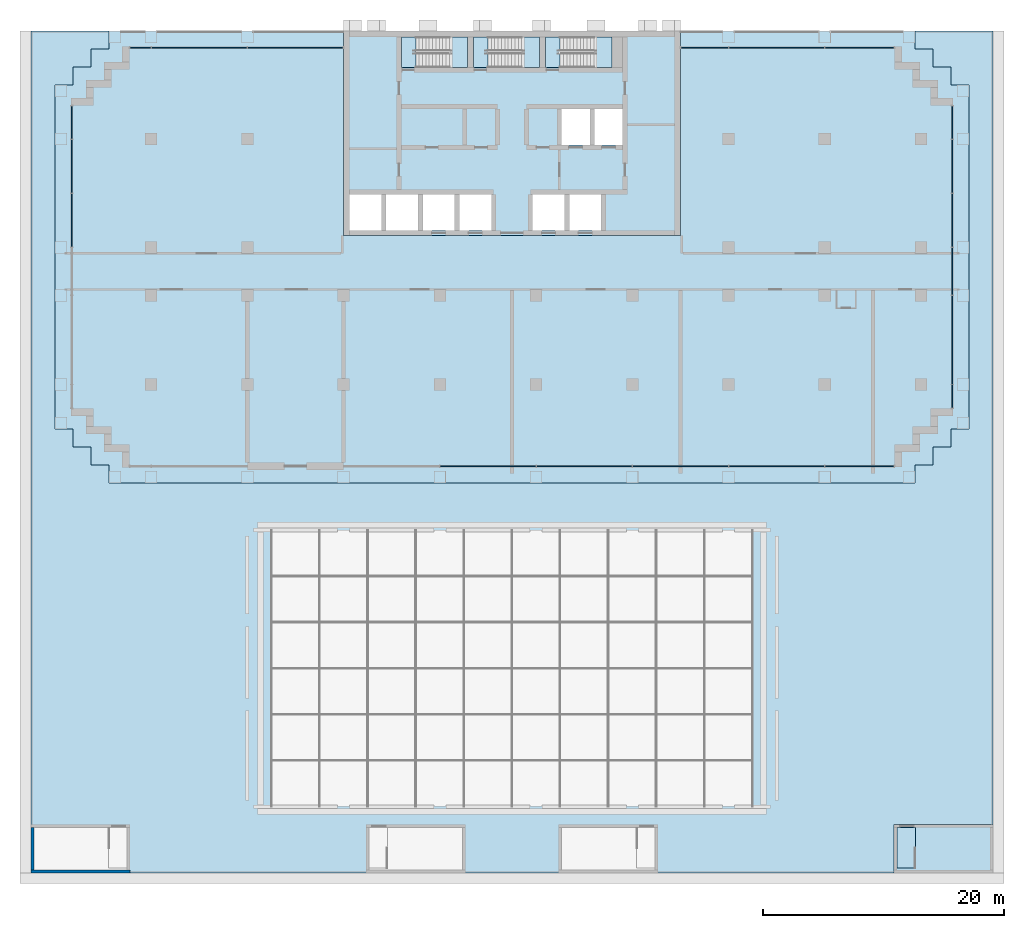
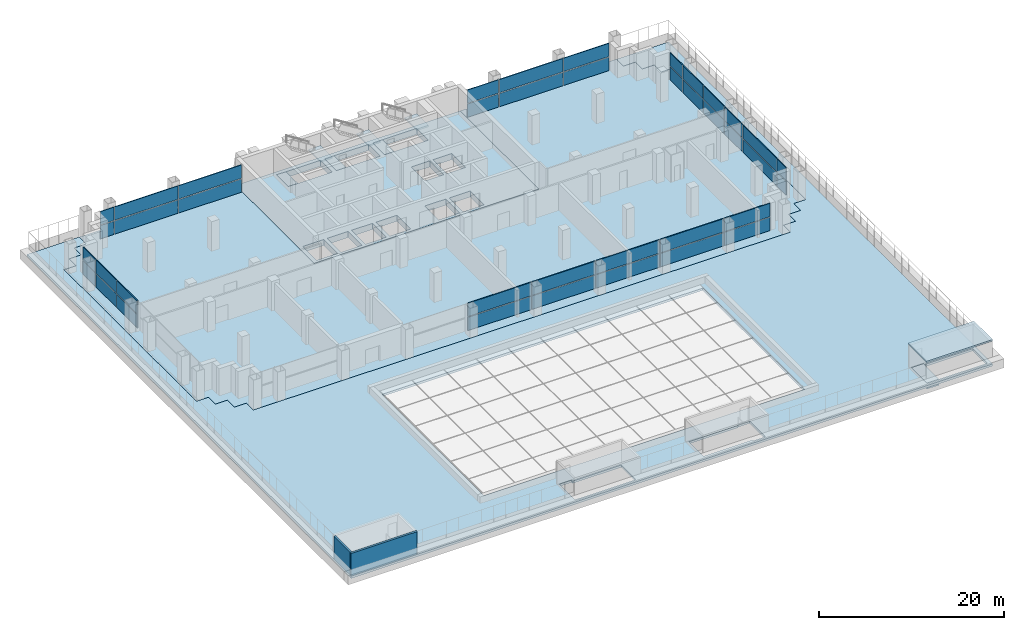
# One storey, part 9 of 16: 40 plates, 11 slabs, 2 walls, 8 elements without a shape of their own.
"""IFC4 building model written with IfcOpenShell, lengths in metres."""

from ifc_helpers import new_model, si_unit, direction, frame, frame_2d, origin, origin_2d, place, context, subcontext, project, spatial, polyline, rectangle, outline, extrude, material, layer, layer_set, type_object, element, aggregate, save


model = new_model("IFC4")

# Units and contexts
model_context = context("Model", 3, precision=1e-05, world=origin(), true_north=direction((0.0, 1.0)))
body_context = subcontext(model_context, "Body", "Model", "MODEL_VIEW")
ifc_project = project(units=[si_unit("LENGTHUNIT", "METRE"), si_unit("AREAUNIT", "SQUARE_METRE"), si_unit("VOLUMEUNIT", "CUBIC_METRE"), si_unit("PLANEANGLEUNIT", "RADIAN"), si_unit("MASSUNIT", "GRAM", prefix="KILO")], contexts=[model_context])

# Site, building, storey
site_placement = place(None, origin())
site = spatial("IfcSite", under=ifc_project, at=site_placement, CompositionType="ELEMENT")
building_placement = place(site_placement, origin())
building = spatial("IfcBuilding", under=site, at=building_placement, Name="Vidyagriha Tower", CompositionType="ELEMENT")
storey_placement = place(building_placement, frame((0.0, 0.0, 26.0)))
storey = spatial("IfcBuildingStorey", under=building, at=storey_placement, Name="L06", CompositionType="ELEMENT", Elevation=26.0)

# Slabs
ifc_material_1 = material(Name="Concrete C60/75", Category="concrete")
ifc_layer_1 = layer(ifc_material_1, 0.800048828125)
ifc_layer_set_1 = layer_set([ifc_layer_1], Name="Concrete C60/75")
slab_type_1 = type_object("IfcSlabType", Name="Core floor slab 800 mm", PredefinedType="FLOOR", material=ifc_layer_set_1)
slab_1_placement = place(storey_placement, frame((0.0, 0.0, -0.800048828125)))
element("IfcSlab", 1, at=slab_1_placement, inside=storey, type_object=slab_type_1, Name="L06 core floor 1", PredefinedType="FLOOR", context=body_context, shape_type="SweptSolid", body=[
    extrude(outline(polyline([(-14.0, 3.0), (-14.0, 20.0), (14.0, 20.0), (14.0, 3.0), (-14.0, 3.0)]), holes=[polyline([(9.199951171875, 13.5), (6.86669921875, 13.5), (6.86669921875, 10.5), (9.199951171875, 10.5), (9.199951171875, 13.5)]), polyline([(4.0, 19.5), (2.800048828125, 19.5), (2.800048828125, 16.949951171875), (4.0, 16.949951171875), (8.300048828125, 16.949951171875), (8.300048828125, 19.5), (4.0, 19.5)]), polyline([(7.4111328125, 6.39990234375), (4.7666015625, 6.39990234375), (4.7666015625, 3.39990234375), (7.4111328125, 3.39990234375), (7.4111328125, 6.39990234375)]), polyline([(6.466796875, 13.5), (4.13330078125, 13.5), (4.13330078125, 10.5), (6.466796875, 10.5), (6.466796875, 13.5)]), polyline([(1.72216796875, 6.39990234375), (1.72216796875, 3.39990234375), (4.36669921875, 3.39990234375), (4.36669921875, 6.39990234375), (1.72216796875, 6.39990234375)]), polyline([(-2.0, 16.949951171875), (2.300048828125, 16.949951171875), (2.300048828125, 19.5), (-2.0, 19.5), (-3.199951171875, 19.5), (-3.199951171875, 16.949951171875), (-2.0, 16.949951171875)]), polyline([(-1.72216796875, 6.39990234375), (-4.36669921875, 6.39990234375), (-4.36669921875, 3.39990234375), (-1.72216796875, 3.39990234375), (-1.72216796875, 6.39990234375)]), polyline([(-8.0, 19.5), (-9.199951171875, 19.5), (-9.199951171875, 16.949951171875), (-8.0, 16.949951171875), (-3.699951171875, 16.949951171875), (-3.699951171875, 19.5), (-8.0, 19.5)]), polyline([(-4.7666015625, 6.39990234375), (-7.4111328125, 6.39990234375), (-7.4111328125, 3.39990234375), (-4.7666015625, 3.39990234375), (-4.7666015625, 6.39990234375)]), polyline([(-7.81103515625, 6.39990234375), (-10.45556640625, 6.39990234375), (-10.45556640625, 3.39990234375), (-7.81103515625, 3.39990234375), (-7.81103515625, 6.39990234375)]), polyline([(-13.5, 6.39990234375), (-13.5, 3.39990234375), (-10.855712890625, 3.39990234375), (-10.855712890625, 6.39990234375), (-13.5, 6.39990234375)])]), origin(), (0.0, 0.0, 1.0), 0.800048828125),
])
ifc_material_2 = material(Name="Concrete C40/50", Category="concrete")
ifc_layer_2 = layer(ifc_material_2, 0.800048828125)
ifc_layer_set_2 = layer_set([ifc_layer_2], Name="Concrete C40/50")
slab_type_2 = type_object("IfcSlabType", Name="Exit stair floor landing 800 mm", PredefinedType="LANDING", material=ifc_layer_set_2)
slab_2_placement = place(storey_placement, frame((0.0, 0.0, -0.800048828125)))
element("IfcSlab", 2, at=slab_2_placement, inside=storey, type_object=slab_type_2, Name="ST1 floor landing L06", PredefinedType="LANDING", context=body_context, shape_type="SweptSolid", body=[
    extrude(outline(polyline([(-9.199951171875, 16.949951171875), (-8.0, 16.949951171875), (-8.0, 19.5), (-9.199951171875, 19.5), (-9.199951171875, 16.949951171875)])), origin(), (0.0, 0.0, 1.0), 0.800048828125),
])
slab_3_placement = place(storey_placement, frame((0.0, 0.0, -0.800048828125)))
element("IfcSlab", 3, at=slab_3_placement, inside=storey, type_object=slab_type_2, Name="ST2 floor landing L06", PredefinedType="LANDING", context=body_context, shape_type="SweptSolid", body=[
    extrude(outline(polyline([(-3.199951171875, 16.949951171875), (-2.0, 16.949951171875), (-2.0, 19.5), (-3.199951171875, 19.5), (-3.199951171875, 16.949951171875)])), origin(), (0.0, 0.0, 1.0), 0.800048828125),
])
slab_4_placement = place(storey_placement, frame((0.0, 0.0, -0.800048828125)))
element("IfcSlab", 4, at=slab_4_placement, inside=storey, type_object=slab_type_2, Name="ST3 floor landing L06", PredefinedType="LANDING", context=body_context, shape_type="SweptSolid", body=[
    extrude(outline(polyline([(2.800048828125, 16.949951171875), (4.0, 16.949951171875), (4.0, 19.5), (2.800048828125, 19.5), (2.800048828125, 16.949951171875)])), origin(), (0.0, 0.0, 1.0), 0.800048828125),
])

# Stair, slab
ifc_material_3 = material(Name="Concrete C40/50", Category="concrete")
stair_type = type_object("IfcStairType", Name="Exit stair, half-turn, precast flights", PredefinedType="HALF_TURN_STAIR", material=ifc_material_3)
stair_1_placement = place(storey_placement, origin())
stair_1 = element("IfcStair", 5, at=stair_1_placement, inside=storey, type_object=stair_type, Name="L06 Exit Stair ST1", PredefinedType="HALF_TURN_STAIR")
ifc_material_4 = material(Name="Concrete C40/50", Category="concrete")
ifc_layer_3 = layer(ifc_material_4, 0.199951171875)
ifc_layer_set_3 = layer_set([ifc_layer_3], Name="Concrete C40/50")
slab_type_3 = type_object("IfcSlabType", Name="Exit stair landing 200 mm", PredefinedType="LANDING", material=ifc_layer_set_3)
slab_5_placement = place(storey_placement, frame((0.0, 0.0, 1.75)))
slab_5 = element("IfcSlab", 6, at=slab_5_placement, type_object=slab_type_3, Name="ST1 landing 1", PredefinedType="LANDING", context=body_context, shape_type="SweptSolid", body=[
    extrude(outline(polyline([(-5.199951171875, 16.949951171875), (-3.699951171875, 16.949951171875), (-3.699951171875, 19.5), (-5.199951171875, 19.5), (-5.199951171875, 16.949951171875)])), origin(), (0.0, 0.0, 1.0), 0.199951171875),
])
aggregate(stair_1, [slab_5])

stair_2_placement = place(storey_placement, origin())
stair_2 = element("IfcStair", 7, at=stair_2_placement, inside=storey, type_object=stair_type, Name="L06 Exit Stair ST2", PredefinedType="HALF_TURN_STAIR")
slab_6_placement = place(storey_placement, frame((0.0, 0.0, 1.75)))
slab_6 = element("IfcSlab", 8, at=slab_6_placement, type_object=slab_type_3, Name="ST2 landing 1", PredefinedType="LANDING", context=body_context, shape_type="SweptSolid", body=[
    extrude(outline(polyline([(0.800048828125, 16.949951171875), (2.300048828125, 16.949951171875), (2.300048828125, 19.5), (0.800048828125, 19.5), (0.800048828125, 16.949951171875)])), origin(), (0.0, 0.0, 1.0), 0.199951171875),
])
aggregate(stair_2, [slab_6])

stair_3_placement = place(storey_placement, origin())
stair_3 = element("IfcStair", 9, at=stair_3_placement, inside=storey, type_object=stair_type, Name="L06 Exit Stair ST3", PredefinedType="HALF_TURN_STAIR")
slab_7_placement = place(storey_placement, frame((0.0, 0.0, 1.75)))
slab_7 = element("IfcSlab", 10, at=slab_7_placement, type_object=slab_type_3, Name="ST3 landing 1", PredefinedType="LANDING", context=body_context, shape_type="SweptSolid", body=[
    extrude(outline(polyline([(6.800048828125, 16.949951171875), (8.300048828125, 16.949951171875), (8.300048828125, 19.5), (6.800048828125, 19.5), (6.800048828125, 16.949951171875)])), origin(), (0.0, 0.0, 1.0), 0.199951171875),
])
aggregate(stair_3, [slab_7])

# Curtain wall, plates
ifc_material_5 = material(Name="Aluminium and glass curtain wall", Category="aluminium")
curtain_wall_type = type_object("IfcCurtainWallType", Name="Plant louvre wall", PredefinedType="USERDEFINED", material=ifc_material_5)
curtain_wall_1_placement = place(storey_placement, origin())
curtain_wall_1 = element("IfcCurtainWall", 11, at=curtain_wall_1_placement, inside=storey, type_object=curtain_wall_type, Name="CW7 plant louvre wall", ObjectType="STICK GLAZING", PredefinedType="USERDEFINED")
ifc_material_6 = material(Name="Perforated fired clay brick jaali screen", Category="masonry")
ifc_layer_4 = layer(ifc_material_6, 0.10009765625)
ifc_layer_set_4 = layer_set([ifc_layer_4], Name="Perforated fired clay brick jaali screen")
plate_type = type_object("IfcPlateType", Name="Perforated brick jaali screen panel", PredefinedType="CURTAIN_PANEL", material=ifc_layer_set_4)
plate_1_placement = place(storey_placement, frame((28.8798828125, 18.60009765625, 0.0), z_axis=(0.0, 0.0, 1.0), x_axis=(-1.0, 0.0, 0.0)))
plate_1 = element("IfcPlate", 12, at=plate_1_placement, type_object=plate_type, Name="CW7 panel 1.1", PredefinedType="CURTAIN_PANEL", context=body_context, shape_type="SweptSolid", body=[
    extrude(rectangle(XDim=5.679931640625, YDim=0.10009765625, at=origin_2d()), origin(), (0.0, 0.0, 1.0), 1.75),
])
plate_2_placement = place(storey_placement, frame((28.8798828125, 18.60009765625, 1.85009765625), z_axis=(0.0, 0.0, 1.0), x_axis=(-1.0, 0.0, 0.0)))
plate_2 = element("IfcPlate", 13, at=plate_2_placement, type_object=plate_type, Name="CW7 panel 1.2", PredefinedType="CURTAIN_PANEL", context=body_context, shape_type="SweptSolid", body=[
    extrude(rectangle(XDim=5.679931640625, YDim=0.10009765625, at=origin_2d()), origin(), (0.0, 0.0, 1.0), 1.75),
])
plate_3_placement = place(storey_placement, frame((22.0, 18.60009765625, 0.0), z_axis=(0.0, 0.0, 1.0), x_axis=(-1.0, 0.0, 0.0)))
plate_3 = element("IfcPlate", 14, at=plate_3_placement, type_object=plate_type, Name="CW7 panel 2.1", PredefinedType="CURTAIN_PANEL", context=body_context, shape_type="SweptSolid", body=[
    extrude(rectangle(XDim=7.919921875, YDim=0.10009765625, at=origin_2d()), origin(), (0.0, 0.0, 1.0), 1.75),
])
plate_4_placement = place(storey_placement, frame((22.0, 18.60009765625, 1.85009765625), z_axis=(0.0, 0.0, 1.0), x_axis=(-1.0, 0.0, 0.0)))
plate_4 = element("IfcPlate", 15, at=plate_4_placement, type_object=plate_type, Name="CW7 panel 2.2", PredefinedType="CURTAIN_PANEL", context=body_context, shape_type="SweptSolid", body=[
    extrude(rectangle(XDim=7.919921875, YDim=0.10009765625, at=origin_2d()), origin(), (0.0, 0.0, 1.0), 1.75),
])
plate_5_placement = place(storey_placement, frame((16.02001953125, 18.60009765625, 0.0), z_axis=(0.0, 0.0, 1.0), x_axis=(-1.0, 0.0, 0.0)))
plate_5 = element("IfcPlate", 16, at=plate_5_placement, type_object=plate_type, Name="CW7 panel 3.1", PredefinedType="CURTAIN_PANEL", context=body_context, shape_type="SweptSolid", body=[
    extrude(rectangle(XDim=3.8798828125, YDim=0.10009765625, at=origin_2d()), origin(), (0.0, 0.0, 1.0), 1.75),
])
plate_6_placement = place(storey_placement, frame((16.02001953125, 18.60009765625, 1.85009765625), z_axis=(0.0, 0.0, 1.0), x_axis=(-1.0, 0.0, 0.0)))
plate_6 = element("IfcPlate", 17, at=plate_6_placement, type_object=plate_type, Name="CW7 panel 3.2", PredefinedType="CURTAIN_PANEL", context=body_context, shape_type="SweptSolid", body=[
    extrude(rectangle(XDim=3.8798828125, YDim=0.10009765625, at=origin_2d()), origin(), (0.0, 0.0, 1.0), 1.75),
])
aggregate(curtain_wall_1, [plate_1, plate_2, plate_3, plate_4, plate_5, plate_6])

curtain_wall_2_placement = place(storey_placement, origin())
curtain_wall_2 = element("IfcCurtainWall", 18, at=curtain_wall_2_placement, inside=storey, type_object=curtain_wall_type, Name="CW7 plant louvre wall", ObjectType="STICK GLAZING", PredefinedType="USERDEFINED")
plate_7_placement = place(storey_placement, frame((-18.02001953125, 18.60009765625, 0.0), z_axis=(0.0, 0.0, 1.0), x_axis=(-1.0, 0.0, 0.0)))
plate_7 = element("IfcPlate", 19, at=plate_7_placement, type_object=plate_type, Name="CW7 panel 1.1", PredefinedType="CURTAIN_PANEL", context=body_context, shape_type="SweptSolid", body=[
    extrude(rectangle(XDim=7.8798828125, YDim=0.10009765625, at=origin_2d()), origin(), (0.0, 0.0, 1.0), 1.75),
])
plate_8_placement = place(storey_placement, frame((-18.02001953125, 18.60009765625, 1.85009765625), z_axis=(0.0, 0.0, 1.0), x_axis=(-1.0, 0.0, 0.0)))
plate_8 = element("IfcPlate", 20, at=plate_8_placement, type_object=plate_type, Name="CW7 panel 1.2", PredefinedType="CURTAIN_PANEL", context=body_context, shape_type="SweptSolid", body=[
    extrude(rectangle(XDim=7.8798828125, YDim=0.10009765625, at=origin_2d()), origin(), (0.0, 0.0, 1.0), 1.75),
])
plate_9_placement = place(storey_placement, frame((-26.0, 18.60009765625, 0.0), z_axis=(0.0, 0.0, 1.0), x_axis=(-1.0, 0.0, 0.0)))
plate_9 = element("IfcPlate", 21, at=plate_9_placement, type_object=plate_type, Name="CW7 panel 2.1", PredefinedType="CURTAIN_PANEL", context=body_context, shape_type="SweptSolid", body=[
    extrude(rectangle(XDim=7.919921875, YDim=0.10009765625, at=origin_2d()), origin(), (0.0, 0.0, 1.0), 1.75),
])
plate_10_placement = place(storey_placement, frame((-26.0, 18.60009765625, 1.85009765625), z_axis=(0.0, 0.0, 1.0), x_axis=(-1.0, 0.0, 0.0)))
plate_10 = element("IfcPlate", 22, at=plate_10_placement, type_object=plate_type, Name="CW7 panel 2.2", PredefinedType="CURTAIN_PANEL", context=body_context, shape_type="SweptSolid", body=[
    extrude(rectangle(XDim=7.919921875, YDim=0.10009765625, at=origin_2d()), origin(), (0.0, 0.0, 1.0), 1.75),
])
plate_11_placement = place(storey_placement, frame((-30.8798828125, 18.60009765625, 0.0), z_axis=(0.0, 0.0, 1.0), x_axis=(-1.0, 0.0, 0.0)))
plate_11 = element("IfcPlate", 23, at=plate_11_placement, type_object=plate_type, Name="CW7 panel 3.1", PredefinedType="CURTAIN_PANEL", context=body_context, shape_type="SweptSolid", body=[
    extrude(rectangle(XDim=1.679931640625, YDim=0.10009765625, at=origin_2d()), origin(), (0.0, 0.0, 1.0), 1.75),
])
plate_12_placement = place(storey_placement, frame((-30.8798828125, 18.60009765625, 1.85009765625), z_axis=(0.0, 0.0, 1.0), x_axis=(-1.0, 0.0, 0.0)))
plate_12 = element("IfcPlate", 24, at=plate_12_placement, type_object=plate_type, Name="CW7 panel 3.2", PredefinedType="CURTAIN_PANEL", context=body_context, shape_type="SweptSolid", body=[
    extrude(rectangle(XDim=1.679931640625, YDim=0.10009765625, at=origin_2d()), origin(), (0.0, 0.0, 1.0), 1.75),
])
aggregate(curtain_wall_2, [plate_7, plate_8, plate_9, plate_10, plate_11, plate_12])

curtain_wall_3_placement = place(storey_placement, origin())
curtain_wall_3 = element("IfcCurtainWall", 25, at=curtain_wall_3_placement, inside=storey, type_object=curtain_wall_type, Name="CW7 plant louvre wall", ObjectType="STICK GLAZING", PredefinedType="USERDEFINED")
plate_13_placement = place(storey_placement, frame((-36.60009765625, 12.3798828125, 0.0), z_axis=(0.0, 0.0, 1.0), x_axis=(0.0, -1.0, 0.0)))
plate_13 = element("IfcPlate", 26, at=plate_13_placement, type_object=plate_type, Name="CW7 panel 1.1", PredefinedType="CURTAIN_PANEL", context=body_context, shape_type="SweptSolid", body=[
    extrude(rectangle(XDim=2.679931640625, YDim=0.10009765625, at=origin_2d()), origin(), (0.0, 0.0, 1.0), 1.75),
])
plate_14_placement = place(storey_placement, frame((-36.60009765625, 12.3798828125, 1.85009765625), z_axis=(0.0, 0.0, 1.0), x_axis=(0.0, -1.0, 0.0)))
plate_14 = element("IfcPlate", 27, at=plate_14_placement, type_object=plate_type, Name="CW7 panel 1.2", PredefinedType="CURTAIN_PANEL", context=body_context, shape_type="SweptSolid", body=[
    extrude(rectangle(XDim=2.679931640625, YDim=0.10009765625, at=origin_2d()), origin(), (0.0, 0.0, 1.0), 1.75),
])
plate_15_placement = place(storey_placement, frame((-36.60009765625, 8.75, 0.0), z_axis=(0.0, 0.0, 1.0), x_axis=(0.0, -1.0, 0.0)))
plate_15 = element("IfcPlate", 28, at=plate_15_placement, type_object=plate_type, Name="CW7 panel 2.1", PredefinedType="CURTAIN_PANEL", context=body_context, shape_type="SweptSolid", body=[
    extrude(rectangle(XDim=4.419921875, YDim=0.10009765625, at=origin_2d()), origin(), (0.0, 0.0, 1.0), 1.75),
])
plate_16_placement = place(storey_placement, frame((-36.60009765625, 8.75, 1.85009765625), z_axis=(0.0, 0.0, 1.0), x_axis=(0.0, -1.0, 0.0)))
plate_16 = element("IfcPlate", 29, at=plate_16_placement, type_object=plate_type, Name="CW7 panel 2.2", PredefinedType="CURTAIN_PANEL", context=body_context, shape_type="SweptSolid", body=[
    extrude(rectangle(XDim=4.419921875, YDim=0.10009765625, at=origin_2d()), origin(), (0.0, 0.0, 1.0), 1.75),
])
plate_17_placement = place(storey_placement, frame((-36.60009765625, 4.25, 0.0), z_axis=(0.0, 0.0, 1.0), x_axis=(0.0, -1.0, 0.0)))
plate_17 = element("IfcPlate", 30, at=plate_17_placement, type_object=plate_type, Name="CW7 panel 3.1", PredefinedType="CURTAIN_PANEL", context=body_context, shape_type="SweptSolid", body=[
    extrude(rectangle(XDim=4.419921875, YDim=0.10009765625, at=origin_2d()), origin(), (0.0, 0.0, 1.0), 1.75),
])
plate_18_placement = place(storey_placement, frame((-36.60009765625, 4.25, 1.85009765625), z_axis=(0.0, 0.0, 1.0), x_axis=(0.0, -1.0, 0.0)))
plate_18 = element("IfcPlate", 31, at=plate_18_placement, type_object=plate_type, Name="CW7 panel 3.2", PredefinedType="CURTAIN_PANEL", context=body_context, shape_type="SweptSolid", body=[
    extrude(rectangle(XDim=4.419921875, YDim=0.10009765625, at=origin_2d()), origin(), (0.0, 0.0, 1.0), 1.75),
])
aggregate(curtain_wall_3, [plate_13, plate_14, plate_15, plate_16, plate_17, plate_18])

curtain_wall_4_placement = place(storey_placement, origin())
curtain_wall_4 = element("IfcCurtainWall", 32, at=curtain_wall_4_placement, inside=storey, type_object=curtain_wall_type, Name="CW7 plant louvre wall", ObjectType="STICK GLAZING", PredefinedType="USERDEFINED")
plate_19_placement = place(storey_placement, frame((-2.0, -16.199951171875, 0.0)))
plate_19 = element("IfcPlate", 33, at=plate_19_placement, type_object=plate_type, Name="CW7 panel 2.1", PredefinedType="CURTAIN_PANEL", context=body_context, shape_type="SweptSolid", body=[
    extrude(rectangle(XDim=7.919921875, YDim=0.10009765625, at=origin_2d()), origin(), (0.0, 0.0, 1.0), 1.75),
])
plate_20_placement = place(storey_placement, frame((-2.0, -16.199951171875, 1.85009765625)))
plate_20 = element("IfcPlate", 34, at=plate_20_placement, type_object=plate_type, Name="CW7 panel 2.2", PredefinedType="CURTAIN_PANEL", context=body_context, shape_type="SweptSolid", body=[
    extrude(rectangle(XDim=7.919921875, YDim=0.10009765625, at=origin_2d()), origin(), (0.0, 0.0, 1.0), 1.75),
])
plate_21_placement = place(storey_placement, frame((6.0, -16.199951171875, 0.0)))
plate_21 = element("IfcPlate", 35, at=plate_21_placement, type_object=plate_type, Name="CW7 panel 3.1", PredefinedType="CURTAIN_PANEL", context=body_context, shape_type="SweptSolid", body=[
    extrude(rectangle(XDim=7.919921875, YDim=0.10009765625, at=origin_2d()), origin(), (0.0, 0.0, 1.0), 1.75),
])
plate_22_placement = place(storey_placement, frame((6.0, -16.199951171875, 1.85009765625)))
plate_22 = element("IfcPlate", 36, at=plate_22_placement, type_object=plate_type, Name="CW7 panel 3.2", PredefinedType="CURTAIN_PANEL", context=body_context, shape_type="SweptSolid", body=[
    extrude(rectangle(XDim=7.919921875, YDim=0.10009765625, at=origin_2d()), origin(), (0.0, 0.0, 1.0), 1.75),
])
plate_23_placement = place(storey_placement, frame((14.0, -16.199951171875, 0.0)))
plate_23 = element("IfcPlate", 37, at=plate_23_placement, type_object=plate_type, Name="CW7 panel 4.1", PredefinedType="CURTAIN_PANEL", context=body_context, shape_type="SweptSolid", body=[
    extrude(rectangle(XDim=7.919921875, YDim=0.10009765625, at=origin_2d()), origin(), (0.0, 0.0, 1.0), 1.75),
])
plate_24_placement = place(storey_placement, frame((14.0, -16.199951171875, 1.85009765625)))
plate_24 = element("IfcPlate", 38, at=plate_24_placement, type_object=plate_type, Name="CW7 panel 4.2", PredefinedType="CURTAIN_PANEL", context=body_context, shape_type="SweptSolid", body=[
    extrude(rectangle(XDim=7.919921875, YDim=0.10009765625, at=origin_2d()), origin(), (0.0, 0.0, 1.0), 1.75),
])
plate_25_placement = place(storey_placement, frame((22.0, -16.199951171875, 0.0)))
plate_25 = element("IfcPlate", 39, at=plate_25_placement, type_object=plate_type, Name="CW7 panel 5.1", PredefinedType="CURTAIN_PANEL", context=body_context, shape_type="SweptSolid", body=[
    extrude(rectangle(XDim=7.919921875, YDim=0.10009765625, at=origin_2d()), origin(), (0.0, 0.0, 1.0), 1.75),
])
plate_26_placement = place(storey_placement, frame((22.0, -16.199951171875, 1.85009765625)))
plate_26 = element("IfcPlate", 40, at=plate_26_placement, type_object=plate_type, Name="CW7 panel 5.2", PredefinedType="CURTAIN_PANEL", context=body_context, shape_type="SweptSolid", body=[
    extrude(rectangle(XDim=7.919921875, YDim=0.10009765625, at=origin_2d()), origin(), (0.0, 0.0, 1.0), 1.75),
])
plate_27_placement = place(storey_placement, frame((28.8798828125, -16.199951171875, 0.0)))
plate_27 = element("IfcPlate", 41, at=plate_27_placement, type_object=plate_type, Name="CW7 panel 6.1", PredefinedType="CURTAIN_PANEL", context=body_context, shape_type="SweptSolid", body=[
    extrude(rectangle(XDim=5.679931640625, YDim=0.10009765625, at=origin_2d()), origin(), (0.0, 0.0, 1.0), 1.75),
])
plate_28_placement = place(storey_placement, frame((28.8798828125, -16.199951171875, 1.85009765625)))
plate_28 = element("IfcPlate", 42, at=plate_28_placement, type_object=plate_type, Name="CW7 panel 6.2", PredefinedType="CURTAIN_PANEL", context=body_context, shape_type="SweptSolid", body=[
    extrude(rectangle(XDim=5.679931640625, YDim=0.10009765625, at=origin_2d()), origin(), (0.0, 0.0, 1.0), 1.75),
])
aggregate(curtain_wall_4, [plate_19, plate_20, plate_21, plate_22, plate_23, plate_24, plate_25, plate_26, plate_27, plate_28])

curtain_wall_5_placement = place(storey_placement, origin())
curtain_wall_5 = element("IfcCurtainWall", 43, at=curtain_wall_5_placement, inside=storey, type_object=curtain_wall_type, Name="CW7 plant louvre wall", ObjectType="STICK GLAZING", PredefinedType="USERDEFINED")
plate_29_placement = place(storey_placement, frame((36.60009765625, -10.3798828125, 0.0), z_axis=(0.0, 0.0, 1.0), x_axis=(0.0, 1.0, 0.0)))
plate_29 = element("IfcPlate", 44, at=plate_29_placement, type_object=plate_type, Name="CW7 panel 1.1", PredefinedType="CURTAIN_PANEL", context=body_context, shape_type="SweptSolid", body=[
    extrude(rectangle(XDim=1.8798828125, YDim=0.10009765625, at=origin_2d()), origin(), (0.0, 0.0, 1.0), 1.75),
])
plate_30_placement = place(storey_placement, frame((36.60009765625, -10.3798828125, 1.85009765625), z_axis=(0.0, 0.0, 1.0), x_axis=(0.0, 1.0, 0.0)))
plate_30 = element("IfcPlate", 45, at=plate_30_placement, type_object=plate_type, Name="CW7 panel 1.2", PredefinedType="CURTAIN_PANEL", context=body_context, shape_type="SweptSolid", body=[
    extrude(rectangle(XDim=1.8798828125, YDim=0.10009765625, at=origin_2d()), origin(), (0.0, 0.0, 1.0), 1.75),
])
plate_31_placement = place(storey_placement, frame((36.60009765625, -5.699951171875, 0.0), z_axis=(0.0, 0.0, 1.0), x_axis=(0.0, 1.0, 0.0)))
plate_31 = element("IfcPlate", 46, at=plate_31_placement, type_object=plate_type, Name="CW7 panel 2.1", PredefinedType="CURTAIN_PANEL", context=body_context, shape_type="SweptSolid", body=[
    extrude(rectangle(XDim=7.320068359375, YDim=0.10009765625, at=origin_2d()), origin(), (0.0, 0.0, 1.0), 1.75),
])
plate_32_placement = place(storey_placement, frame((36.60009765625, -5.699951171875, 1.85009765625), z_axis=(0.0, 0.0, 1.0), x_axis=(0.0, 1.0, 0.0)))
plate_32 = element("IfcPlate", 47, at=plate_32_placement, type_object=plate_type, Name="CW7 panel 2.2", PredefinedType="CURTAIN_PANEL", context=body_context, shape_type="SweptSolid", body=[
    extrude(rectangle(XDim=7.320068359375, YDim=0.10009765625, at=origin_2d()), origin(), (0.0, 0.0, 1.0), 1.75),
])
plate_33_placement = place(storey_placement, frame((36.60009765625, 0.0, 0.0), z_axis=(0.0, 0.0, 1.0), x_axis=(0.0, 1.0, 0.0)))
plate_33 = element("IfcPlate", 48, at=plate_33_placement, type_object=plate_type, Name="CW7 panel 3.1", PredefinedType="CURTAIN_PANEL", context=body_context, shape_type="SweptSolid", body=[
    extrude(rectangle(XDim=3.919921875, YDim=0.10009765625, at=origin_2d()), origin(), (0.0, 0.0, 1.0), 1.75),
])
plate_34_placement = place(storey_placement, frame((36.60009765625, 0.0, 1.85009765625), z_axis=(0.0, 0.0, 1.0), x_axis=(0.0, 1.0, 0.0)))
plate_34 = element("IfcPlate", 49, at=plate_34_placement, type_object=plate_type, Name="CW7 panel 3.2", PredefinedType="CURTAIN_PANEL", context=body_context, shape_type="SweptSolid", body=[
    extrude(rectangle(XDim=3.919921875, YDim=0.10009765625, at=origin_2d()), origin(), (0.0, 0.0, 1.0), 1.75),
])
plate_35_placement = place(storey_placement, frame((36.60009765625, 4.25, 0.0), z_axis=(0.0, 0.0, 1.0), x_axis=(0.0, 1.0, 0.0)))
plate_35 = element("IfcPlate", 50, at=plate_35_placement, type_object=plate_type, Name="CW7 panel 4.1", PredefinedType="CURTAIN_PANEL", context=body_context, shape_type="SweptSolid", body=[
    extrude(rectangle(XDim=4.419921875, YDim=0.10009765625, at=origin_2d()), origin(), (0.0, 0.0, 1.0), 1.75),
])
plate_36_placement = place(storey_placement, frame((36.60009765625, 4.25, 1.85009765625), z_axis=(0.0, 0.0, 1.0), x_axis=(0.0, 1.0, 0.0)))
plate_36 = element("IfcPlate", 51, at=plate_36_placement, type_object=plate_type, Name="CW7 panel 4.2", PredefinedType="CURTAIN_PANEL", context=body_context, shape_type="SweptSolid", body=[
    extrude(rectangle(XDim=4.419921875, YDim=0.10009765625, at=origin_2d()), origin(), (0.0, 0.0, 1.0), 1.75),
])
plate_37_placement = place(storey_placement, frame((36.60009765625, 8.75, 0.0), z_axis=(0.0, 0.0, 1.0), x_axis=(0.0, 1.0, 0.0)))
plate_37 = element("IfcPlate", 52, at=plate_37_placement, type_object=plate_type, Name="CW7 panel 5.1", PredefinedType="CURTAIN_PANEL", context=body_context, shape_type="SweptSolid", body=[
    extrude(rectangle(XDim=4.419921875, YDim=0.10009765625, at=origin_2d()), origin(), (0.0, 0.0, 1.0), 1.75),
])
plate_38_placement = place(storey_placement, frame((36.60009765625, 8.75, 1.85009765625), z_axis=(0.0, 0.0, 1.0), x_axis=(0.0, 1.0, 0.0)))
plate_38 = element("IfcPlate", 53, at=plate_38_placement, type_object=plate_type, Name="CW7 panel 5.2", PredefinedType="CURTAIN_PANEL", context=body_context, shape_type="SweptSolid", body=[
    extrude(rectangle(XDim=4.419921875, YDim=0.10009765625, at=origin_2d()), origin(), (0.0, 0.0, 1.0), 1.75),
])
plate_39_placement = place(storey_placement, frame((36.60009765625, 12.3798828125, 0.0), z_axis=(0.0, 0.0, 1.0), x_axis=(0.0, 1.0, 0.0)))
plate_39 = element("IfcPlate", 54, at=plate_39_placement, type_object=plate_type, Name="CW7 panel 6.1", PredefinedType="CURTAIN_PANEL", context=body_context, shape_type="SweptSolid", body=[
    extrude(rectangle(XDim=2.679931640625, YDim=0.10009765625, at=origin_2d()), origin(), (0.0, 0.0, 1.0), 1.75),
])
plate_40_placement = place(storey_placement, frame((36.60009765625, 12.3798828125, 1.85009765625), z_axis=(0.0, 0.0, 1.0), x_axis=(0.0, 1.0, 0.0)))
plate_40 = element("IfcPlate", 55, at=plate_40_placement, type_object=plate_type, Name="CW7 panel 6.2", PredefinedType="CURTAIN_PANEL", context=body_context, shape_type="SweptSolid", body=[
    extrude(rectangle(XDim=2.679931640625, YDim=0.10009765625, at=origin_2d()), origin(), (0.0, 0.0, 1.0), 1.75),
])
aggregate(curtain_wall_5, [plate_29, plate_30, plate_31, plate_32, plate_33, plate_34, plate_35, plate_36, plate_37, plate_38, plate_39, plate_40])

# Slabs
ifc_material_7 = material(Name="Concrete C32/40", Category="concrete")
ifc_layer_5 = layer(ifc_material_7, 0.800048828125)
ifc_layer_set_5 = layer_set([ifc_layer_5], Name="Concrete C32/40")
slab_type_4 = type_object("IfcSlabType", Name="Podium stair floor landing 800 mm", PredefinedType="LANDING", material=ifc_layer_set_5)
slab_8_placement = place(storey_placement, frame((0.0, 0.0, -0.800048828125)))
element("IfcSlab", 56, at=slab_8_placement, inside=storey, type_object=slab_type_4, Name="PS2 floor landing L06", PredefinedType="LANDING", context=body_context, shape_type="SweptSolid", body=[
    extrude(outline(polyline([(32.02490234375, -49.60009765625), (33.544921875, -49.60009765625), (33.544921875, -46.22509765625), (32.02490234375, -46.22509765625), (32.02490234375, -49.60009765625)])), origin(), (0.0, 0.0, 1.0), 0.800048828125),
])
ifc_material_8 = material(Name="Concrete C50/60", Category="concrete")
ifc_layer_6 = layer(ifc_material_8, 0.300048828125)
ifc_layer_set_6 = layer_set([ifc_layer_6], Name="Concrete C50/60")
slab_type_5 = type_object("IfcSlabType", Name="Post-tensioned play deck slab 300", PredefinedType="FLOOR", material=ifc_layer_set_6)
slab_9_placement = place(storey_placement, frame((0.0, 0.0, -0.300048828125)))
element("IfcSlab", 57, at=slab_9_placement, inside=storey, type_object=slab_type_5, Name="st-terrace-TR-P1", PredefinedType="FLOOR", context=body_context, shape_type="SweptSolid", body=[
    extrude(outline(polyline([(33.5, -17.60009765625), (33.5, -16.10009765625), (35.0, -16.10009765625), (35.0, -14.60009765625), (36.5, -14.60009765625), (36.5, -13.10009765625), (38.0, -13.10009765625), (38.0, 15.5), (36.5, 15.5), (36.5, 17.0), (35.0, 17.0), (35.0, 18.5), (33.5, 18.5), (33.5, 20.0), (40.0, 20.0), (40.0, -50.0), (-40.0, -50.0), (-40.0, 20.0), (-33.5, 20.0), (-33.5, 18.5), (-35.0, 18.5), (-35.0, 17.0), (-36.5, 17.0), (-36.5, 15.5), (-38.0, 15.5), (-38.0, -13.10009765625), (-36.5, -13.10009765625), (-36.5, -14.60009765625), (-35.0, -14.60009765625), (-35.0, -16.10009765625), (-33.5, -16.10009765625), (-33.5, -17.60009765625), (33.5, -17.60009765625)]), holes=[polyline([(-20.0, -22.0), (-20.0, -44.0), (20.0, -44.0), (20.0, -22.0), (-20.0, -22.0)]), polyline([(-33.544921875, -46.22509765625), (-33.544921875, -46.300048828125), (-39.574951171875, -46.300048828125), (-39.574951171875, -49.449951171875), (-33.544921875, -49.449951171875), (-33.544921875, -49.60009765625), (-32.02490234375, -49.60009765625), (-32.02490234375, -46.22509765625), (-33.544921875, -46.22509765625)]), polyline([(39.574951171875, -49.60009765625), (39.574951171875, -46.449951171875), (33.544921875, -46.449951171875), (33.544921875, -46.22509765625), (32.02490234375, -46.22509765625), (32.02490234375, -49.60009765625), (33.544921875, -49.60009765625), (39.574951171875, -49.60009765625)]), polyline([(-11.875, -49.60009765625), (-10.35498046875, -49.60009765625), (-4.2548828125, -49.60009765625), (-4.2548828125, -46.449951171875), (-10.35498046875, -46.449951171875), (-10.35498046875, -46.22509765625), (-11.875, -46.22509765625), (-11.875, -49.60009765625)]), polyline([(4.2548828125, -46.300048828125), (4.2548828125, -49.449951171875), (10.35498046875, -49.449951171875), (10.35498046875, -49.60009765625), (11.875, -49.60009765625), (11.875, -46.22509765625), (10.35498046875, -46.22509765625), (10.35498046875, -46.300048828125), (4.2548828125, -46.300048828125)])]), origin(), (0.0, 0.0, 1.0), 0.300048828125),
])
ifc_material_9 = material(Name="Concrete C50/60", Category="concrete")
ifc_layer_7 = layer(ifc_material_9, 0.800048828125)
ifc_layer_set_7 = layer_set([ifc_layer_7], Name="Concrete C50/60")
slab_type_6 = type_object("IfcSlabType", Name="Post-tensioned transfer deck 800", PredefinedType="FLOOR", material=ifc_layer_set_7)
slab_10_placement = place(storey_placement, frame((0.0, 0.0, -0.800048828125)))
element("IfcSlab", 58, at=slab_10_placement, inside=storey, type_object=slab_type_6, Name="st-slab-L06-1", PredefinedType="FLOOR", context=body_context, shape_type="SweptSolid", body=[
    extrude(outline(polyline([(-35.0, 17.0), (-35.0, 18.5), (-33.5, 18.5), (-33.5, 20.0), (-14.0, 20.0), (-14.0, 3.0), (14.0, 3.0), (14.0, 20.0), (33.5, 20.0), (33.5, 18.5), (35.0, 18.5), (35.0, 17.0), (36.5, 17.0), (36.5, 15.5), (38.0, 15.5), (38.0, -13.10009765625), (36.5, -13.10009765625), (36.5, -14.60009765625), (35.0, -14.60009765625), (35.0, -16.10009765625), (33.5, -16.10009765625), (33.5, -17.60009765625), (-33.5, -17.60009765625), (-33.5, -16.10009765625), (-35.0, -16.10009765625), (-35.0, -14.60009765625), (-36.5, -14.60009765625), (-36.5, -13.10009765625), (-38.0, -13.10009765625), (-38.0, 15.5), (-36.5, 15.5), (-36.5, 17.0), (-35.0, 17.0)])), origin(), (0.0, 0.0, 1.0), 0.800048828125),
])
ifc_material_10 = material(Name="Concrete C32/40", Category="concrete")
ifc_layer_8 = layer(ifc_material_10, 0.199951171875)
ifc_layer_set_8 = layer_set([ifc_layer_8], Name="Concrete C32/40")
slab_type_7 = type_object("IfcSlabType", Name="Stair Head-house Roof Slab 200", PredefinedType="ROOF", material=ifc_layer_set_8)
slab_11_placement = place(storey_placement, frame((0.0, 0.0, 3.0)))
element("IfcSlab", 59, at=slab_11_placement, inside=storey, type_object=slab_type_7, Name="L06 stair head-house PS2 roof", PredefinedType="ROOF", context=body_context, shape_type="SweptSolid", body=[
    extrude(outline(polyline([(31.77490234375, -50.0), (40.0, -50.0), (40.0, -45.97509765625), (31.77490234375, -45.97509765625), (31.77490234375, -50.0)])), origin(), (0.0, 0.0, 1.0), 0.199951171875),
])

# Walls
ifc_material_11 = material(Name="Concrete C32/40 with brick facing", Category="concrete")
ifc_layer_9 = layer(ifc_material_11, 0.25)
ifc_layer_set_9 = layer_set([ifc_layer_9], Name="Concrete C32/40 with brick facing")
wall_type = type_object("IfcWallType", Name="Stair head-house wall 250, brick-faced", PredefinedType="SOLIDWALL", material=ifc_layer_set_9)
wall_1_placement = place(storey_placement, frame((-40.0, -49.875, 0.0)))
element("IfcWall", 60, at=wall_1_placement, inside=storey, type_object=wall_type, Name="L06 stair head-house PS1 wall S", PredefinedType="SOLIDWALL", context=body_context, shape_type="SweptSolid", body=[
    extrude(rectangle(XDim=8.22509765625, YDim=0.25, at=frame_2d((4.112548828125, 0.0))), origin(), (0.0, 0.0, 1.0), 3.0),
])
wall_2_placement = place(storey_placement, frame((-39.875, -49.75, 0.0), z_axis=(0.0, 0.0, 1.0), x_axis=(0.0, 1.0, 0.0)))
element("IfcWall", 61, at=wall_2_placement, inside=storey, type_object=wall_type, Name="L06 stair head-house PS1 wall W", PredefinedType="SOLIDWALL", context=body_context, shape_type="SweptSolid", body=[
    extrude(rectangle(XDim=3.52490234375, YDim=0.25, at=frame_2d((1.762451171875, 0.0))), origin(), (0.0, 0.0, 1.0), 3.0),
])

save(model, "model.ifc")
